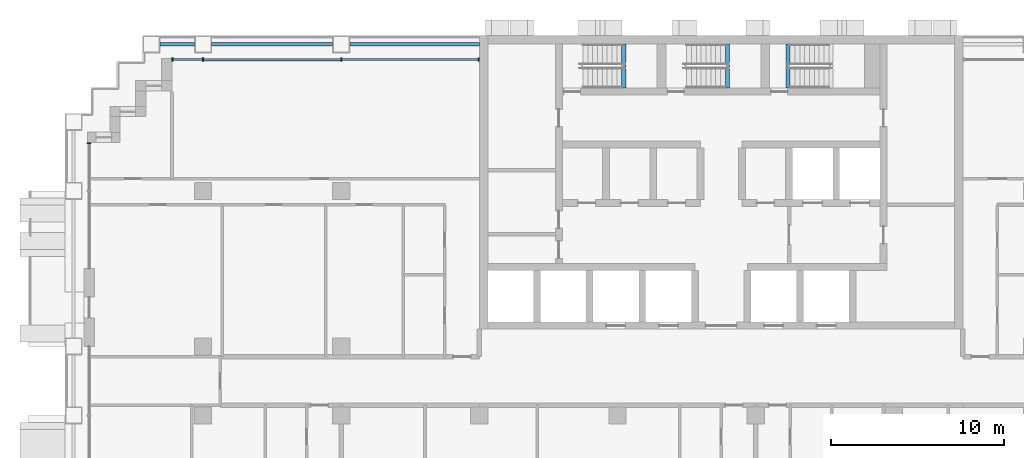
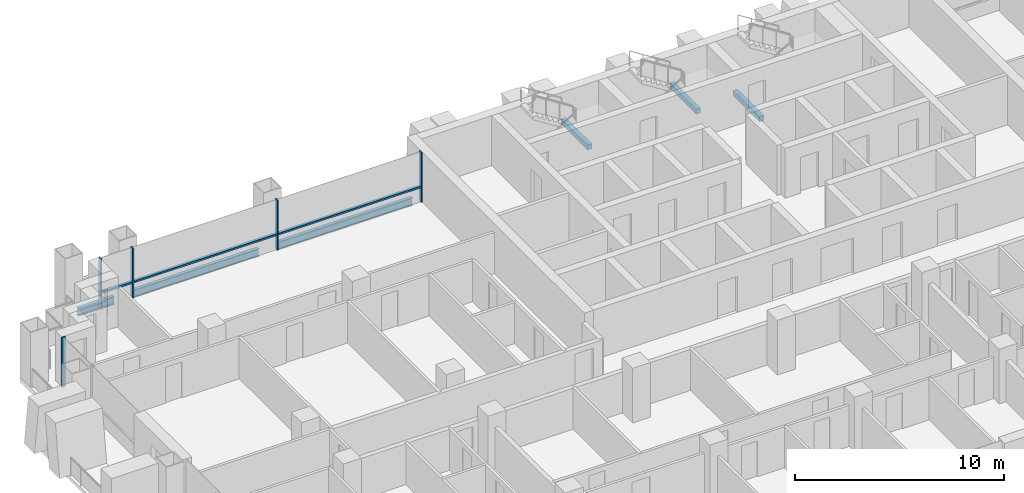
# One storey, part 4 of 18: 8 members, 6 beams, 2 elements without a shape of their own.
"""IFC4 building model written with IfcOpenShell, lengths in metres."""

from ifc_helpers import new_model, si_unit, direction, frame, origin, origin_2d, place, context, subcontext, project, spatial, rectangle, i_section, extrude, material, material_profile, profile_set, type_object, element, aggregate, save


model = new_model("IFC4")

# Units and contexts
model_context = context("Model", 3, precision=1e-05, world=origin(), true_north=direction((0.0, 1.0)))
body_context = subcontext(model_context, "Body", "Model", "MODEL_VIEW")
ifc_project = project(units=[si_unit("LENGTHUNIT", "METRE"), si_unit("AREAUNIT", "SQUARE_METRE"), si_unit("VOLUMEUNIT", "CUBIC_METRE"), si_unit("PLANEANGLEUNIT", "RADIAN"), si_unit("MASSUNIT", "GRAM", prefix="KILO")], contexts=[model_context])

# Site, building, storey
site_placement = place(None, origin())
site = spatial("IfcSite", under=ifc_project, at=site_placement, CompositionType="ELEMENT")
building_placement = place(site_placement, origin())
building = spatial("IfcBuilding", under=site, at=building_placement, Name="Vidyagriha Tower", CompositionType="ELEMENT")
storey_placement = place(building_placement, frame((0.0, 0.0, 44.800048828125)))
storey = spatial("IfcBuildingStorey", under=building, at=storey_placement, Name="L11", CompositionType="ELEMENT", Elevation=44.800048828125)

# Beams
ifc_material_1 = material(Name="Steel ASTM A992 Grade 50", Category="steel")
ifc_material_profile_1 = material_profile(ifc_material_1, i_section(OverallWidth=0.19189453125, OverallDepth=0.46240234375, WebThickness=0.010498046875, FlangeThickness=0.017578125, at=origin_2d()), Name="W18X60")
ifc_profile_set_1 = profile_set([ifc_material_profile_1], Name="Steel ASTM A992 Grade 50")
beam_type_1 = type_object("IfcBeamType", Name="Edge beam W18X60", PredefinedType="SPANDREL", material=ifc_profile_set_1)
beam_1_placement = place(storey_placement, frame((-32.5, 19.5, -0.51123046875), z_axis=(1.0, 0.0, 0.0), x_axis=(0.0, 1.0, 0.0)))
element("IfcBeam", 1, at=beam_1_placement, inside=storey, type_object=beam_type_1, Name="st-beam-L11-NW20", PredefinedType="SPANDREL", context=body_context, shape_type="SweptSolid", body=[
    extrude(i_section(OverallWidth=0.19189453125, OverallDepth=0.46240234375, WebThickness=0.010498046875, FlangeThickness=0.017578125, at=origin_2d()), origin(), (0.0, 0.0, 1.0), 2.0),
])
beam_2_placement = place(storey_placement, frame((-29.5, 19.5, -0.51123046875), z_axis=(1.0, 0.0, 0.0), x_axis=(0.0, 1.0, 0.0)))
element("IfcBeam", 2, at=beam_2_placement, inside=storey, type_object=beam_type_1, Name="st-beam-L11-NW21", PredefinedType="SPANDREL", context=body_context, shape_type="SweptSolid", body=[
    extrude(i_section(OverallWidth=0.19189453125, OverallDepth=0.46240234375, WebThickness=0.010498046875, FlangeThickness=0.017578125, at=origin_2d()), origin(), (0.0, 0.0, 1.0), 7.0),
])
beam_3_placement = place(storey_placement, frame((-21.5, 19.5, -0.51123046875), z_axis=(1.0, 0.0, 0.0), x_axis=(0.0, 1.0, 0.0)))
element("IfcBeam", 3, at=beam_3_placement, inside=storey, type_object=beam_type_1, Name="st-beam-L11-NC24", PredefinedType="SPANDREL", context=body_context, shape_type="SweptSolid", body=[
    extrude(i_section(OverallWidth=0.19189453125, OverallDepth=0.46240234375, WebThickness=0.010498046875, FlangeThickness=0.017578125, at=origin_2d()), origin(), (0.0, 0.0, 1.0), 7.5),
])

# Curtain wall, members
ifc_material_2 = material(Name="Aluminium and glass curtain wall", Category="aluminium")
curtain_wall_type = type_object("IfcCurtainWallType", Name="Dwelling skin unitised curtain wall", PredefinedType="USERDEFINED", material=ifc_material_2)
curtain_wall_1_placement = place(storey_placement, origin())
curtain_wall_1 = element("IfcCurtainWall", 4, at=curtain_wall_1_placement, inside=storey, type_object=curtain_wall_type, Name="CW1 dwelling skin", ObjectType="UNITISED", PredefinedType="USERDEFINED")
ifc_material_3 = material(Name="Aluminium black anodised", Category="aluminium")
ifc_material_profile_2 = material_profile(ifc_material_3, rectangle(XDim=0.199951171875, YDim=0.070068359375, at=origin_2d()), Name="Mullion 70x200 black aluminium")
ifc_profile_set_2 = profile_set([ifc_material_profile_2], Name="Aluminium black anodised")
member_type_1 = type_object("IfcMemberType", Name="Mullion 70x200 black aluminium", PredefinedType="MULLION", material=ifc_profile_set_2)
member_1_placement = place(storey_placement, frame((-14.034912109375, 18.60009765625, 0.0), z_axis=(0.0, 0.0, 1.0), x_axis=(0.0, -1.0, 0.0)))
member_1 = element("IfcMember", 5, at=member_1_placement, type_object=member_type_1, Name="CW1 mullion 1", PredefinedType="MULLION", context=body_context, shape_type="SweptSolid", body=[
    extrude(rectangle(XDim=0.199951171875, YDim=0.070068359375, at=origin_2d()), origin(), (0.0, 0.0, 1.0), 2.919921875),
])
member_2_placement = place(storey_placement, frame((-22.0, 18.60009765625, 0.0), z_axis=(0.0, 0.0, 1.0), x_axis=(0.0, -1.0, 0.0)))
member_2 = element("IfcMember", 6, at=member_2_placement, type_object=member_type_1, Name="CW1 mullion 2", PredefinedType="MULLION", context=body_context, shape_type="SweptSolid", body=[
    extrude(rectangle(XDim=0.199951171875, YDim=0.070068359375, at=origin_2d()), origin(), (0.0, 0.0, 1.0), 2.919921875),
])
member_3_placement = place(storey_placement, frame((-30.0, 18.60009765625, 0.0), z_axis=(0.0, 0.0, 1.0), x_axis=(0.0, -1.0, 0.0)))
member_3 = element("IfcMember", 7, at=member_3_placement, type_object=member_type_1, Name="CW1 mullion 3", PredefinedType="MULLION", context=body_context, shape_type="SweptSolid", body=[
    extrude(rectangle(XDim=0.199951171875, YDim=0.070068359375, at=origin_2d()), origin(), (0.0, 0.0, 1.0), 2.919921875),
])
member_4_placement = place(storey_placement, frame((-31.764892578125, 18.60009765625, 0.0), z_axis=(0.0, 0.0, 1.0), x_axis=(0.0, -1.0, 0.0)))
member_4 = element("IfcMember", 8, at=member_4_placement, type_object=member_type_1, Name="CW1 mullion 4", PredefinedType="MULLION", context=body_context, shape_type="SweptSolid", body=[
    extrude(rectangle(XDim=0.199951171875, YDim=0.070068359375, at=origin_2d()), origin(), (0.0, 0.0, 1.0), 2.919921875),
])

# Curtain wall, member
curtain_wall_2_placement = place(storey_placement, origin())
curtain_wall_2 = element("IfcCurtainWall", 9, at=curtain_wall_2_placement, inside=storey, type_object=curtain_wall_type, Name="CW1 dwelling skin", ObjectType="UNITISED", PredefinedType="USERDEFINED")
member_5_placement = place(storey_placement, frame((-36.60009765625, 13.764892578125, 0.0)))
member_5 = element("IfcMember", 10, at=member_5_placement, type_object=member_type_1, Name="CW1 mullion 1", PredefinedType="MULLION", context=body_context, shape_type="SweptSolid", body=[
    extrude(rectangle(XDim=0.199951171875, YDim=0.070068359375, at=origin_2d()), origin(), (0.0, 0.0, 1.0), 2.919921875),
])
aggregate(curtain_wall_2, [member_5])

# Beams
ifc_material_4 = material(Name="Concrete C40/50", Category="concrete")
ifc_material_profile_3 = material_profile(ifc_material_4, rectangle(XDim=0.25, YDim=0.300048828125, at=origin_2d()), Name="Stair landing bearing beam 250x300")
ifc_profile_set_3 = profile_set([ifc_material_profile_3], Name="Concrete C40/50")
beam_type_2 = type_object("IfcBeamType", Name="Stair landing bearing beam 250x300", PredefinedType="BEAM", material=ifc_profile_set_3)
for number, where, z_axis, x_axis, name in (
    (11, (3.875, 16.949951171875, -0.429931640625), (0.0, 1.0, 0.0), (-1.0, 0.0, 0.0), "ST3 floor landing bearing beam L11"),
    (12, (-5.635009765625, 16.949951171875, 1.25), (0.0, 1.0, 0.0), (-1.0, 0.0, 0.0), "ST1 landing bearing beam L11"),
    (13, (0.364990234375, 16.949951171875, 1.25), (0.0, 1.0, 0.0), (-1.0, 0.0, 0.0), "ST2 landing bearing beam L11"),
):
    element("IfcBeam", number, at=place(storey_placement, frame(where, z_axis=z_axis, x_axis=x_axis)), inside=storey, type_object=beam_type_2, Name=name, PredefinedType="BEAM", context=body_context, shape_type="SweptSolid", body=[
        extrude(rectangle(XDim=0.25, YDim=0.300048828125, at=origin_2d()), origin(), (0.0, 0.0, 1.0), 2.550048828125),
    ])

# Member
ifc_material_5 = material(Name="Aluminium black anodised", Category="aluminium")
ifc_material_profile_4 = material_profile(ifc_material_5, rectangle(XDim=0.159912109375, YDim=0.10009765625, at=origin_2d()), Name="Transom 100x160 black aluminium")
ifc_profile_set_4 = profile_set([ifc_material_profile_4], Name="Aluminium black anodised")
member_type_2 = type_object("IfcMemberType", Name="Transom 100x160 black aluminium", PredefinedType="USERDEFINED", material=ifc_profile_set_4)
member_6_placement = place(storey_placement, frame((-14.070068359375, 18.60009765625, 0.89990234375), z_axis=(-1.0, 0.0, 0.0), x_axis=(0.0, -1.0, 0.0)))
member_6 = element("IfcMember", 14, at=member_6_placement, type_object=member_type_2, Name="CW1 transom 1.1", ObjectType="TRANSOM", PredefinedType="USERDEFINED", context=body_context, shape_type="SweptSolid", body=[
    extrude(rectangle(XDim=0.159912109375, YDim=0.10009765625, at=origin_2d()), origin(), (0.0, 0.0, 1.0), 7.89501953125),
])

member_7_placement = place(storey_placement, frame((-22.034912109375, 18.60009765625, 0.89990234375), z_axis=(-1.0, 0.0, 0.0), x_axis=(0.0, -1.0, 0.0)))
member_7 = element("IfcMember", 15, at=member_7_placement, type_object=member_type_2, Name="CW1 transom 2.1", ObjectType="TRANSOM", PredefinedType="USERDEFINED", context=body_context, shape_type="SweptSolid", body=[
    extrude(rectangle(XDim=0.159912109375, YDim=0.10009765625, at=origin_2d()), origin(), (0.0, 0.0, 1.0), 7.93017578125),
])

member_8_placement = place(storey_placement, frame((-30.034912109375, 18.60009765625, 0.89990234375), z_axis=(-1.0, 0.0, 0.0), x_axis=(0.0, -1.0, 0.0)))
member_8 = element("IfcMember", 16, at=member_8_placement, type_object=member_type_2, Name="CW1 transom 3.1", ObjectType="TRANSOM", PredefinedType="USERDEFINED", context=body_context, shape_type="SweptSolid", body=[
    extrude(rectangle(XDim=0.159912109375, YDim=0.10009765625, at=origin_2d()), origin(), (0.0, 0.0, 1.0), 1.695068359375),
])

aggregate(curtain_wall_1, [member_1, member_2, member_3, member_4, member_6, member_7, member_8])

save(model, "model.ifc")
